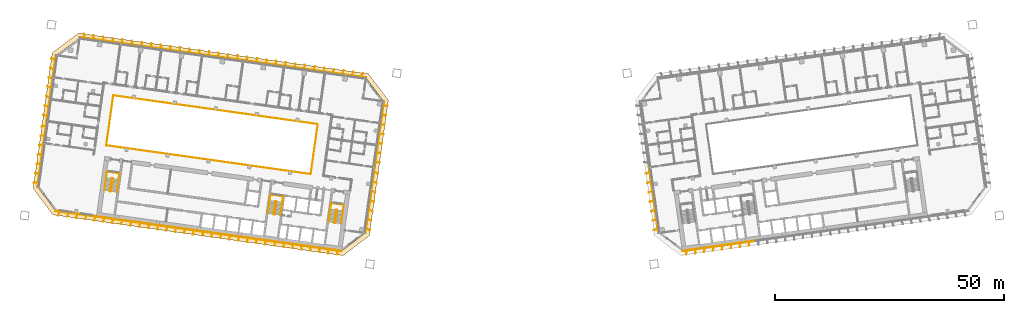
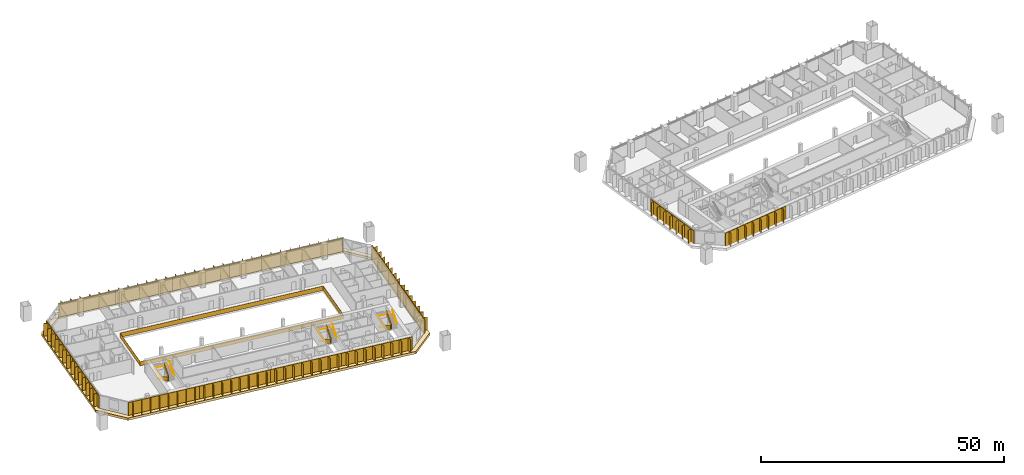
# One storey, part 24 of 25: 15 shading devices, 7 railings, 1 covering.
"""IFC4 building model written with IfcOpenShell, lengths in metres."""

from ifc_helpers import new_model, si_unit, direction, frame, origin, origin_2d, place, context, subcontext, project, spatial, polyline, rectangle, outline, extrude, material, layer, layer_set, type_object, element, save


model = new_model("IFC4")

# Units and contexts
model_context = context("Model", 3, precision=1e-05, world=origin(), true_north=direction((0.0, 1.0)))
body_context = subcontext(model_context, "Body", "Model", "MODEL_VIEW")
ifc_project = project(units=[si_unit("LENGTHUNIT", "METRE"), si_unit("AREAUNIT", "SQUARE_METRE"), si_unit("VOLUMEUNIT", "CUBIC_METRE"), si_unit("PLANEANGLEUNIT", "RADIAN"), si_unit("MASSUNIT", "GRAM", prefix="KILO")], contexts=[model_context])

# Site, building, storey
site_placement = place(None, origin())
site = spatial("IfcSite", under=ifc_project, at=site_placement, CompositionType="ELEMENT")
building_placement = place(site_placement, origin())
building = spatial("IfcBuilding", under=site, at=building_placement, Name="Mirante Cascada Hotel Towers", CompositionType="ELEMENT")
storey_placement = place(building_placement, frame((0.0, 0.0, 69.9)))
storey = spatial("IfcBuildingStorey", under=building, at=storey_placement, Name="L14", CompositionType="ELEMENT", Elevation=69.9)

# Railing
ifc_material_1 = material(Name="Toughened glass with stainless steel handrail", Category="steel")
railing_type_1 = type_object("IfcRailingType", Name="Atrium guard 1100 glass balustrade", PredefinedType="GUARDRAIL", material=ifc_material_1)
railing_1_placement = place(storey_placement, frame((-43.8418, -3.4881, 0.0)))
element("IfcRailing", 1, at=railing_1_placement, inside=storey, type_object=railing_type_1, Name="GUARD 1-L14-1", PredefinedType="GUARDRAIL", context=body_context, shape_type="SweptSolid", body=[
    extrude(rectangle(XDim=0.048, YDim=0.048, at=origin_2d()), frame((0.0, 0.0, 1.076), z_axis=(-0.9902681, 0.1391732, 0.0), x_axis=(-0.1391732, -0.9902681, 0.0)), (0.0, 0.0, 1.0), 45.0),
    extrude(rectangle(XDim=0.02, YDim=1.052, at=origin_2d()), frame((0.0, 0.0, 0.526), z_axis=(-0.9902681, 0.1391732, 0.0), x_axis=(-0.1391732, -0.9902681, 0.0)), (0.0, 0.0, 1.0), 45.0),
    extrude(rectangle(XDim=0.048, YDim=0.048, at=origin_2d()), frame((-44.5621, 6.2628, 1.076), z_axis=(0.1391721, 0.9902682, 0.0), x_axis=(-0.9902682, 0.1391721, 0.0)), (0.0, 0.0, 1.0), 11.0001),
    extrude(rectangle(XDim=0.02, YDim=1.052, at=origin_2d()), frame((-44.5621, 6.2628, 0.526), z_axis=(0.1391721, 0.9902682, 0.0), x_axis=(-0.9902682, 0.1391721, 0.0)), (0.0, 0.0, 1.0), 11.0001),
    extrude(rectangle(XDim=0.048, YDim=0.048, at=origin_2d()), frame((-43.0312, 17.1558, 1.076), z_axis=(0.9902681, -0.1391732, 0.0), x_axis=(0.1391732, 0.9902681, 0.0)), (0.0, 0.0, 1.0), 45.0),
    extrude(rectangle(XDim=0.02, YDim=1.052, at=origin_2d()), frame((-43.0312, 17.1558, 0.526), z_axis=(0.9902681, -0.1391732, 0.0), x_axis=(0.1391732, 0.9902681, 0.0)), (0.0, 0.0, 1.0), 45.0),
    extrude(rectangle(XDim=0.048, YDim=0.048, at=origin_2d()), frame((1.5309, 10.893, 1.076), z_axis=(-0.1391721, -0.9902682, 0.0), x_axis=(0.9902682, -0.1391721, 0.0)), (0.0, 0.0, 1.0), 11.0001),
    extrude(rectangle(XDim=0.02, YDim=1.052, at=origin_2d()), frame((1.5309, 10.893, 0.526), z_axis=(-0.1391721, -0.9902682, 0.0), x_axis=(0.9902682, -0.1391721, 0.0)), (0.0, 0.0, 1.0), 11.0001),
])

# Covering
ifc_material_2 = material(Name="Precast concrete C40/50 white", Category="concrete")
ifc_layer = layer(ifc_material_2, 0.6)
ifc_layer_set = layer_set([ifc_layer], Name="Precast concrete SUNSHADE band 1000x600")
covering_type = type_object("IfcCoveringType", Name="Precast concrete SUNSHADE band 1000x600", PredefinedType="CLADDING", material=ifc_layer_set)
covering_placement = place(storey_placement, frame((0.0, 0.0, -0.45)))
element("IfcCovering", 2, at=covering_placement, inside=storey, type_object=covering_type, Name="Precast concrete SUNSHADE band T1 L14", PredefinedType="CLADDING", context=body_context, shape_type="SweptSolid", body=[
    extrude(outline(polyline([(-104.3652, -6.6094), (-100.2139, 22.9287), (-94.4698, 27.2572), (-31.2626, 18.374), (-26.9341, 12.6299), (-31.0854, -16.9082), (-36.8295, -21.2367), (-100.0367, -12.3535), (-104.3652, -6.6094)]), holes=[polyline([(-27.982, 12.3589), (-31.8119, 17.4414), (-94.1988, 26.2093), (-99.2813, 22.3794), (-103.3173, -6.3384), (-99.4874, -11.4209), (-37.1005, -20.1888), (-32.018, -16.3589), (-27.982, 12.3589)])]), origin(), (0.0, 0.0, 1.0), 0.6),
])

# Railings
ifc_material_3 = material(Name="Painted steel", Category="steel")
railing_type_2 = type_object("IfcRailingType", Name="Stair guard 1100 steel balustrade", PredefinedType="GUARDRAIL", material=ifc_material_3)
railing_2_placement = place(storey_placement, frame((-38.1178, -11.2603, 0.0)))
element("IfcRailing", 3, at=railing_2_placement, inside=storey, type_object=railing_type_2, Name="L14 ST1-A stair guard 1", PredefinedType="GUARDRAIL", context=body_context, shape_type="SweptSolid", body=[
    extrude(rectangle(XDim=0.048, YDim=0.048, at=origin_2d()), frame((0.0, 0.0, 1.076), z_axis=(-0.9903326, 0.1387133, 0.0), x_axis=(-0.1387133, -0.9903326, 0.0)), (0.0, 0.0, 1.0), 0.1499),
    extrude(rectangle(XDim=0.02, YDim=1.052, at=origin_2d()), frame((0.0, 0.0, 0.526), z_axis=(-0.9903326, 0.1387133, 0.0), x_axis=(-0.1387133, -0.9903326, 0.0)), (0.0, 0.0, 1.0), 0.1499),
    extrude(rectangle(XDim=0.048, YDim=0.048, at=origin_2d()), frame((-0.1485, 0.0208, 1.076), z_axis=(-0.7991505, -0.6011309, 0.0), x_axis=(0.6011309, -0.7991505, 0.0)), (0.0, 0.9254529, 0.3788627), 0.1866),
    extrude(rectangle(XDim=0.02, YDim=1.052, at=origin_2d()), frame((-0.1485, 0.0208, 0.526), z_axis=(-0.7991505, -0.6011309, 0.0), x_axis=(0.6011309, -0.7991505, 0.0)), (0.0, 0.9254529, 0.3788627), 0.1866),
    extrude(rectangle(XDim=0.048, YDim=0.048, at=origin_2d()), frame((-0.205, -0.0217, 1.2487), z_axis=(-0.139176, -0.9902677, 0.0), x_axis=(0.9902677, -0.139176, 0.0)), (0.0, 0.5250212, 0.8510891), 3.29),
    extrude(rectangle(XDim=0.02, YDim=1.052, at=origin_2d()), frame((-0.205, -0.0217, 0.6987), z_axis=(-0.139176, -0.9902677, 0.0), x_axis=(0.9902677, -0.139176, 0.0)), (0.0, 0.5250212, 0.8510891), 3.29),
    extrude(rectangle(XDim=0.048, YDim=0.048, at=origin_2d()), frame((-0.5947, -2.7945, 2.976), z_axis=(0.9270311, -0.3749843, 0.0), x_axis=(0.3749843, 0.9270311, 0.0)), (0.0, 0.0, 1.0), 0.2061),
    extrude(rectangle(XDim=0.02, YDim=1.052, at=origin_2d()), frame((-0.5947, -2.7945, 2.426), z_axis=(0.9270311, -0.3749843, 0.0), x_axis=(0.3749843, 0.9270311, 0.0)), (0.0, 0.0, 1.0), 0.2061),
    extrude(rectangle(XDim=0.048, YDim=0.048, at=origin_2d()), frame((-0.4036, -2.8718, 2.976), z_axis=(-0.9902408, 0.1393672, 0.0), x_axis=(-0.1393672, -0.9902408, 0.0)), (0.0, 0.0, 1.0), 0.15),
    extrude(rectangle(XDim=0.02, YDim=1.052, at=origin_2d()), frame((-0.4036, -2.8718, 2.426), z_axis=(-0.9902408, 0.1393672, 0.0), x_axis=(-0.1393672, -0.9902408, 0.0)), (0.0, 0.0, 1.0), 0.15),
    extrude(rectangle(XDim=0.048, YDim=0.048, at=origin_2d()), frame((-0.5521, -2.8509, 2.976), z_axis=(0.9944948, 0.1047858, 0.0), x_axis=(-0.1047858, 0.9944948, 0.0)), (0.0, 0.6422034, 0.7665343), 0.2689),
    extrude(rectangle(XDim=0.02, YDim=1.052, at=origin_2d()), frame((-0.5521, -2.8509, 2.426), z_axis=(0.9944948, 0.1047858, 0.0), x_axis=(-0.1047858, 0.9944948, 0.0)), (0.0, 0.6422034, 0.7665343), 0.2689),
    extrude(rectangle(XDim=0.048, YDim=0.048, at=origin_2d()), frame((-0.3471, -2.8293, 3.1487), z_axis=(0.139176, 0.9902677, 0.0), x_axis=(-0.9902677, 0.139176, 0.0)), (0.0, 0.5250212, 0.8510891), 3.29),
    extrude(rectangle(XDim=0.02, YDim=1.052, at=origin_2d()), frame((-0.3471, -2.8293, 2.5987), z_axis=(0.139176, 0.9902677, 0.0), x_axis=(-0.9902677, 0.139176, 0.0)), (0.0, 0.5250212, 0.8510891), 3.29),
])
railing_3_placement = place(storey_placement, frame((-51.3379, -9.4024, 0.0)))
element("IfcRailing", 4, at=railing_3_placement, inside=storey, type_object=railing_type_2, Name="L14 ST1-B stair guard 1", PredefinedType="GUARDRAIL", context=body_context, shape_type="SweptSolid", body=[
    extrude(rectangle(XDim=0.048, YDim=0.048, at=origin_2d()), frame((0.0, 0.0, 1.076), z_axis=(-0.9902408, 0.1393672, 0.0), x_axis=(-0.1393672, -0.9902408, 0.0)), (0.0, 0.0, 1.0), 0.15),
    extrude(rectangle(XDim=0.02, YDim=1.052, at=origin_2d()), frame((0.0, 0.0, 0.526), z_axis=(-0.9902408, 0.1393672, 0.0), x_axis=(-0.1393672, -0.9902408, 0.0)), (0.0, 0.0, 1.0), 0.15),
    extrude(rectangle(XDim=0.048, YDim=0.048, at=origin_2d()), frame((-0.1485, 0.0209, 1.076), z_axis=(-0.7984711, -0.6020331, 0.0), x_axis=(0.6020331, -0.7984711, 0.0)), (0.0, 0.9253398, 0.3791387), 0.1866),
    extrude(rectangle(XDim=0.02, YDim=1.052, at=origin_2d()), frame((-0.1485, 0.0209, 0.526), z_axis=(-0.7984711, -0.6020331, 0.0), x_axis=(0.6020331, -0.7984711, 0.0)), (0.0, 0.9253398, 0.3791387), 0.1866),
    extrude(rectangle(XDim=0.048, YDim=0.048, at=origin_2d()), frame((-0.205, -0.0217, 1.2487), z_axis=(-0.139181, -0.990267, 0.0), x_axis=(0.990267, -0.139181, 0.0)), (0.0, 0.5250347, 0.8510808), 3.2899),
    extrude(rectangle(XDim=0.02, YDim=1.052, at=origin_2d()), frame((-0.205, -0.0217, 0.6987), z_axis=(-0.139181, -0.990267, 0.0), x_axis=(0.990267, -0.139181, 0.0)), (0.0, 0.5250347, 0.8510808), 3.2899),
    extrude(rectangle(XDim=0.048, YDim=0.048, at=origin_2d()), frame((-0.5947, -2.7944, 2.976), z_axis=(0.9268624, -0.3754011, 0.0), x_axis=(0.3754011, 0.9268624, 0.0)), (0.0, 0.0, 1.0), 0.2062),
    extrude(rectangle(XDim=0.02, YDim=1.052, at=origin_2d()), frame((-0.5947, -2.7944, 2.426), z_axis=(0.9268624, -0.3754011, 0.0), x_axis=(0.3754011, 0.9268624, 0.0)), (0.0, 0.0, 1.0), 0.2062),
    extrude(rectangle(XDim=0.048, YDim=0.048, at=origin_2d()), frame((-0.4036, -2.8718, 2.976), z_axis=(-0.9902408, 0.1393672, 0.0), x_axis=(-0.1393672, -0.9902408, 0.0)), (0.0, 0.0, 1.0), 0.15),
    extrude(rectangle(XDim=0.02, YDim=1.052, at=origin_2d()), frame((-0.4036, -2.8718, 2.426), z_axis=(-0.9902408, 0.1393672, 0.0), x_axis=(-0.1393672, -0.9902408, 0.0)), (0.0, 0.0, 1.0), 0.15),
    extrude(rectangle(XDim=0.048, YDim=0.048, at=origin_2d()), frame((-0.5521, -2.8509, 2.976), z_axis=(0.9944441, 0.1052656, 0.0), x_axis=(-0.1052656, 0.9944441, 0.0)), (0.0, 0.6421842, 0.7665504), 0.2689),
    extrude(rectangle(XDim=0.02, YDim=1.052, at=origin_2d()), frame((-0.5521, -2.8509, 2.426), z_axis=(0.9944441, 0.1052656, 0.0), x_axis=(-0.1052656, 0.9944441, 0.0)), (0.0, 0.6421842, 0.7665504), 0.2689),
    extrude(rectangle(XDim=0.048, YDim=0.048, at=origin_2d()), frame((-0.3471, -2.8292, 3.1487), z_axis=(0.139181, 0.990267, 0.0), x_axis=(-0.990267, 0.139181, 0.0)), (0.0, 0.5250347, 0.8510808), 3.2899),
    extrude(rectangle(XDim=0.02, YDim=1.052, at=origin_2d()), frame((-0.3471, -2.8292, 2.5987), z_axis=(0.139181, 0.990267, 0.0), x_axis=(-0.990267, 0.139181, 0.0)), (0.0, 0.5250347, 0.8510808), 3.2899),
])
railing_4_placement = place(storey_placement, frame((-86.9875, -4.3922, 0.0)))
element("IfcRailing", 5, at=railing_4_placement, inside=storey, type_object=railing_type_2, Name="L14 ST1-C stair guard 1", PredefinedType="GUARDRAIL", context=body_context, shape_type="SweptSolid", body=[
    extrude(rectangle(XDim=0.048, YDim=0.048, at=origin_2d()), frame((0.0, 0.0, 1.076), z_axis=(-0.9902537, 0.1392753, 0.0), x_axis=(-0.1392753, -0.9902537, 0.0)), (0.0, 0.0, 1.0), 0.1501),
    extrude(rectangle(XDim=0.02, YDim=1.052, at=origin_2d()), frame((0.0, 0.0, 0.526), z_axis=(-0.9902537, 0.1392753, 0.0), x_axis=(-0.1392753, -0.9902537, 0.0)), (0.0, 0.0, 1.0), 0.1501),
    extrude(rectangle(XDim=0.048, YDim=0.048, at=origin_2d()), frame((-0.1486, 0.0209, 1.076), z_axis=(-0.7986386, -0.601811, 0.0), x_axis=(0.601811, -0.7986386, 0.0)), (0.0, 0.925603, 0.3784959), 0.1866),
    extrude(rectangle(XDim=0.02, YDim=1.052, at=origin_2d()), frame((-0.1486, 0.0209, 0.526), z_axis=(-0.7986386, -0.601811, 0.0), x_axis=(0.601811, -0.7986386, 0.0)), (0.0, 0.925603, 0.3784959), 0.1866),
    extrude(rectangle(XDim=0.048, YDim=0.048, at=origin_2d()), frame((-0.205, -0.0216, 1.2487), z_axis=(-0.139176, -0.9902677, 0.0), x_axis=(0.9902677, -0.139176, 0.0)), (0.0, 0.5250212, 0.8510891), 3.29),
    extrude(rectangle(XDim=0.02, YDim=1.052, at=origin_2d()), frame((-0.205, -0.0216, 0.6987), z_axis=(-0.139176, -0.9902677, 0.0), x_axis=(0.9902677, -0.139176, 0.0)), (0.0, 0.5250212, 0.8510891), 3.29),
    extrude(rectangle(XDim=0.048, YDim=0.048, at=origin_2d()), frame((-0.5947, -2.7944, 2.976), z_axis=(0.9270311, -0.3749843, 0.0), x_axis=(0.3749843, 0.9270311, 0.0)), (0.0, 0.0, 1.0), 0.2061),
    extrude(rectangle(XDim=0.02, YDim=1.052, at=origin_2d()), frame((-0.5947, -2.7944, 2.426), z_axis=(0.9270311, -0.3749843, 0.0), x_axis=(0.3749843, 0.9270311, 0.0)), (0.0, 0.0, 1.0), 0.2061),
    extrude(rectangle(XDim=0.048, YDim=0.048, at=origin_2d()), frame((-0.4036, -2.8717, 2.976), z_axis=(-0.9903454, 0.1386217, 0.0), x_axis=(-0.1386217, -0.9903454, 0.0)), (0.0, 0.0, 1.0), 0.15),
    extrude(rectangle(XDim=0.02, YDim=1.052, at=origin_2d()), frame((-0.4036, -2.8717, 2.426), z_axis=(-0.9903454, 0.1386217, 0.0), x_axis=(-0.1386217, -0.9903454, 0.0)), (0.0, 0.0, 1.0), 0.15),
    extrude(rectangle(XDim=0.048, YDim=0.048, at=origin_2d()), frame((-0.5522, -2.8509, 2.976), z_axis=(0.9944441, 0.1052656, 0.0), x_axis=(-0.1052656, 0.9944441, 0.0)), (0.0, 0.6421842, 0.7665504), 0.2689),
    extrude(rectangle(XDim=0.02, YDim=1.052, at=origin_2d()), frame((-0.5522, -2.8509, 2.426), z_axis=(0.9944441, 0.1052656, 0.0), x_axis=(-0.1052656, 0.9944441, 0.0)), (0.0, 0.6421842, 0.7665504), 0.2689),
    extrude(rectangle(XDim=0.048, YDim=0.048, at=origin_2d()), frame((-0.3472, -2.8292, 3.1487), z_axis=(0.139176, 0.9902677, 0.0), x_axis=(-0.9902677, 0.139176, 0.0)), (0.0, 0.5250212, 0.8510891), 3.29),
    extrude(rectangle(XDim=0.02, YDim=1.052, at=origin_2d()), frame((-0.3472, -2.8292, 2.5987), z_axis=(0.139176, 0.9902677, 0.0), x_axis=(-0.9902677, 0.139176, 0.0)), (0.0, 0.5250212, 0.8510891), 3.29),
])
ifc_material_4 = material(Name="Painted steel", Category="steel")
railing_type_3 = type_object("IfcRailingType", Name="Stair handrail 900 steel tube", PredefinedType="HANDRAIL", material=ifc_material_4)
railing_5_placement = place(storey_placement, frame((-39.5606, -11.1081, 0.1727)))
element("IfcRailing", 6, at=railing_5_placement, inside=storey, type_object=railing_type_3, Name="L14 ST1-A stair handrail 1", PredefinedType="HANDRAIL", context=body_context, shape_type="SweptSolid", body=[
    extrude(rectangle(XDim=0.048, YDim=0.048, at=origin_2d()), frame((0.0, 0.0, 0.876), z_axis=(-0.139181, -0.990267, 0.0), x_axis=(0.990267, -0.139181, 0.0)), (0.0, 0.5250347, 0.8510808), 3.2899),
    extrude(rectangle(XDim=0.048, YDim=0.048, at=origin_2d()), frame((-0.3897, -2.7727, 2.6033), z_axis=(0.1391707, 0.9902684, 0.0), x_axis=(-0.9902684, 0.1391707, 0.0)), (0.0, 0.0420846, 0.999114), 4.1036),
    extrude(rectangle(XDim=0.048, YDim=0.048, at=origin_2d()), frame((0.1809, 1.2874, 2.776), z_axis=(0.9902691, -0.1391657, 0.0), x_axis=(0.1391657, 0.9902691, 0.0)), (0.0, 0.0, 1.0), 2.75),
    extrude(rectangle(XDim=0.048, YDim=0.048, at=origin_2d()), frame((2.9041, 0.9047, 2.776), z_axis=(-0.1391707, -0.9902684, 0.0), x_axis=(0.9902684, -0.1391707, 0.0)), (0.0, 0.0, 1.0), 4.1),
    extrude(rectangle(XDim=0.048, YDim=0.048, at=origin_2d()), frame((2.3335, -3.1554, 2.776), z_axis=(0.139181, 0.990267, 0.0), x_axis=(-0.990267, 0.139181, 0.0)), (0.0, 0.5250347, 0.8510808), 3.2899),
])
railing_6_placement = place(storey_placement, frame((-52.7807, -9.2501, 0.1727)))
element("IfcRailing", 7, at=railing_6_placement, inside=storey, type_object=railing_type_3, Name="L14 ST1-B stair handrail 1", PredefinedType="HANDRAIL", context=body_context, shape_type="SweptSolid", body=[
    extrude(rectangle(XDim=0.048, YDim=0.048, at=origin_2d()), frame((0.0, 0.0, 0.876), z_axis=(-0.139181, -0.990267, 0.0), x_axis=(0.990267, -0.139181, 0.0)), (0.0, 0.5250347, 0.8510808), 3.2899),
    extrude(rectangle(XDim=0.048, YDim=0.048, at=origin_2d()), frame((-0.3897, -2.7727, 2.6033), z_axis=(0.1391707, 0.9902684, 0.0), x_axis=(-0.9902684, 0.1391707, 0.0)), (0.0, 0.0420846, 0.999114), 4.1036),
    extrude(rectangle(XDim=0.048, YDim=0.048, at=origin_2d()), frame((0.1809, 1.2874, 2.776), z_axis=(0.9902641, -0.1392013, 0.0), x_axis=(0.1392013, 0.9902641, 0.0)), (0.0, 0.0, 1.0), 2.75),
    extrude(rectangle(XDim=0.048, YDim=0.048, at=origin_2d()), frame((2.9041, 0.9046, 2.776), z_axis=(-0.1391707, -0.9902684, 0.0), x_axis=(0.9902684, -0.1391707, 0.0)), (0.0, 0.0, 1.0), 4.1),
    extrude(rectangle(XDim=0.048, YDim=0.048, at=origin_2d()), frame((2.3335, -3.1555, 2.776), z_axis=(0.139176, 0.9902677, 0.0), x_axis=(-0.9902677, 0.139176, 0.0)), (0.0, 0.5250212, 0.8510891), 3.29),
])
railing_7_placement = place(storey_placement, frame((-88.4304, -4.2399, 0.1727)))
element("IfcRailing", 8, at=railing_7_placement, inside=storey, type_object=railing_type_3, Name="L14 ST1-C stair handrail 1", PredefinedType="HANDRAIL", context=body_context, shape_type="SweptSolid", body=[
    extrude(rectangle(XDim=0.048, YDim=0.048, at=origin_2d()), frame((0.0, 0.0, 0.876), z_axis=(-0.139181, -0.990267, 0.0), x_axis=(0.990267, -0.139181, 0.0)), (0.0, 0.5250347, 0.8510808), 3.2899),
    extrude(rectangle(XDim=0.048, YDim=0.048, at=origin_2d()), frame((-0.3897, -2.7727, 2.6033), z_axis=(0.1391947, 0.990265, 0.0), x_axis=(-0.990265, 0.1391947, 0.0)), (0.0, 0.0420845, 0.9991141), 4.1036),
    extrude(rectangle(XDim=0.048, YDim=0.048, at=origin_2d()), frame((0.181, 1.2874, 2.776), z_axis=(0.9902691, -0.1391657, 0.0), x_axis=(0.1391657, 0.9902691, 0.0)), (0.0, 0.0, 1.0), 2.75),
    extrude(rectangle(XDim=0.048, YDim=0.048, at=origin_2d()), frame((2.9042, 0.9047, 2.776), z_axis=(-0.1391707, -0.9902684, 0.0), x_axis=(0.9902684, -0.1391707, 0.0)), (0.0, 0.0, 1.0), 4.1),
    extrude(rectangle(XDim=0.048, YDim=0.048, at=origin_2d()), frame((2.3336, -3.1554, 2.776), z_axis=(0.139181, 0.990267, 0.0), x_axis=(-0.990267, 0.139181, 0.0)), (0.0, 0.5250347, 0.8510808), 3.2899),
])

# Shading devices
ifc_material_5 = material(Name="White precast concrete C50/60 fin", Category="concrete")
shading_device_type = type_object("IfcShadingDeviceType", Name="Vertical fin set 4500x900", PredefinedType="USERDEFINED", material=ifc_material_5)
shading_device_1_placement = place(storey_placement, origin())
element("IfcShadingDevice", 9, at=shading_device_1_placement, inside=storey, type_object=shading_device_type, Name="FIN T1 L14 front 1", ObjectType="FIN", PredefinedType="USERDEFINED", context=body_context, shape_type="SweptSolid", body=[
    extrude(outline(polyline([(-82.8173, 25.599), (-82.7126, 24.7465), (-81.7006, 24.6042), (-81.7214, 24.4557), (-94.1988, 26.2093), (-94.1779, 26.3578), (-93.1924, 26.2193), (-93.2945, 27.0506), (-93.2151, 27.0603), (-93.1104, 26.2078), (-91.1129, 25.9271), (-91.2149, 26.7583), (-91.1355, 26.7681), (-91.0308, 25.9155), (-89.0333, 25.6348), (-89.1354, 26.4661), (-89.056, 26.4758), (-88.9513, 25.6233), (-86.9537, 25.3425), (-87.0558, 26.1738), (-86.9764, 26.1835), (-86.8717, 25.331), (-84.8742, 25.0503), (-84.9762, 25.8815), (-84.8968, 25.8913), (-84.7922, 25.0387), (-82.7946, 24.758), (-82.8967, 25.5893), (-82.8173, 25.599)])), origin(), (0.0, 0.0, 1.0), 3.35),
])
shading_device_2_placement = place(storey_placement, origin())
element("IfcShadingDevice", 10, at=shading_device_2_placement, inside=storey, type_object=shading_device_type, Name="FIN T1 L14 front 2", ObjectType="FIN", PredefinedType="USERDEFINED", context=body_context, shape_type="SweptSolid", body=[
    extrude(outline(polyline([(-70.2221, 23.8469), (-70.2295, 22.9921), (-69.2232, 22.8507), (-69.2441, 22.7021), (-81.7214, 24.4557), (-81.7006, 24.6042), (-80.7072, 24.4646), (-80.6999, 25.3089), (-80.6199, 25.3082), (-80.6273, 24.4534), (-78.6277, 24.1724), (-78.6203, 25.0166), (-78.5403, 25.0159), (-78.5478, 24.1611), (-76.5481, 23.8801), (-76.5407, 24.7244), (-76.4608, 24.7237), (-76.4682, 23.8689), (-74.4686, 23.5878), (-74.4612, 24.4321), (-74.3812, 24.4314), (-74.3886, 23.5766), (-72.389, 23.2956), (-72.3816, 24.1399), (-72.3016, 24.1392), (-72.3091, 23.2844), (-70.3094, 23.0033), (-70.3021, 23.8476), (-70.2221, 23.8469)])), origin(), (0.0, 0.0, 1.0), 3.35),
])
shading_device_3_placement = place(storey_placement, origin())
element("IfcShadingDevice", 11, at=shading_device_3_placement, inside=storey, type_object=shading_device_type, Name="FIN T1 L14 front 3", ObjectType="FIN", PredefinedType="USERDEFINED", context=body_context, shape_type="SweptSolid", body=[
    extrude(outline(polyline([(-57.6277, 22.0794), (-57.746, 21.2376), (-56.7458, 21.0971), (-56.7667, 20.9485), (-69.2441, 22.7021), (-69.2232, 22.8507), (-68.223, 22.7101), (-68.1047, 23.5518), (-68.0255, 23.5407), (-68.1438, 22.699), (-66.1434, 22.4178), (-66.0251, 23.2596), (-65.9459, 23.2484), (-66.0642, 22.4067), (-64.0639, 22.1256), (-63.9456, 22.9673), (-63.8664, 22.9562), (-63.9847, 22.1144), (-61.9843, 21.8333), (-61.866, 22.675), (-61.7868, 22.6639), (-61.9051, 21.8222), (-59.9048, 21.541), (-59.7865, 22.3828), (-59.7072, 22.3716), (-59.8255, 21.5299), (-57.8252, 21.2488), (-57.7069, 22.0905), (-57.6277, 22.0794)])), origin(), (0.0, 0.0, 1.0), 3.35),
])
shading_device_4_placement = place(storey_placement, origin())
element("IfcShadingDevice", 12, at=shading_device_4_placement, inside=storey, type_object=shading_device_type, Name="FIN T1 L14 front 4", ObjectType="FIN", PredefinedType="USERDEFINED", context=body_context, shape_type="SweptSolid", body=[
    extrude(outline(polyline([(-45.0361, 20.2967), (-45.2617, 19.4831), (-44.2684, 19.3435), (-44.2893, 19.195), (-56.7667, 20.9485), (-56.7458, 21.0971), (-55.7394, 20.9556), (-55.511, 21.7794), (-55.4339, 21.758), (-55.6595, 20.9444), (-53.6599, 20.6634), (-53.4314, 21.4871), (-53.3544, 21.4657), (-53.58, 20.6521), (-51.5803, 20.3711), (-51.3519, 21.1949), (-51.2748, 21.1735), (-51.5004, 20.3599), (-49.5008, 20.0789), (-49.2723, 20.9026), (-49.1952, 20.8812), (-49.4209, 20.0676), (-47.4212, 19.7866), (-47.1928, 20.6103), (-47.1157, 20.589), (-47.3413, 19.7754), (-45.3416, 19.4943), (-45.1132, 20.3181), (-45.0361, 20.2967)])), origin(), (0.0, 0.0, 1.0), 3.35),
])
shading_device_5_placement = place(storey_placement, origin())
element("IfcShadingDevice", 13, at=shading_device_5_placement, inside=storey, type_object=shading_device_type, Name="FIN T1 L14 front 5", ObjectType="FIN", PredefinedType="USERDEFINED", context=body_context, shape_type="SweptSolid", body=[
    extrude(outline(polyline([(-32.4493, 18.4994), (-32.7765, 17.7284), (-31.791, 17.5899), (-31.8119, 17.4414), (-44.2893, 19.195), (-44.2684, 19.3435), (-43.2564, 19.2013), (-42.9208, 19.9919), (-42.8471, 19.9607), (-43.1744, 19.1897), (-41.1768, 18.909), (-40.8412, 19.6997), (-40.7676, 19.6684), (-41.0948, 18.8975), (-39.0973, 18.6167), (-38.7616, 19.4074), (-38.688, 19.3761), (-39.0152, 18.6052), (-37.0177, 18.3245), (-36.6821, 19.1151), (-36.6084, 19.0839), (-36.9357, 18.3129), (-34.9381, 18.0322), (-34.6025, 18.8229), (-34.5289, 18.7916), (-34.8561, 18.0207), (-32.8586, 17.7399), (-32.5229, 18.5306), (-32.4493, 18.4994)])), origin(), (0.0, 0.0, 1.0), 3.35),
])
shading_device_6_placement = place(storey_placement, origin())
element("IfcShadingDevice", 14, at=shading_device_6_placement, inside=storey, type_object=shading_device_type, Name="FIN T1 L14 inner 1", ObjectType="FIN", PredefinedType="USERDEFINED", context=body_context, shape_type="SweptSolid", body=[
    extrude(outline(polyline([(-29.7112, -1.023), (-29.8515, -2.0209), (-30.0, -2.0), (-27.982, 12.3589), (-27.8334, 12.338), (-27.97, 11.3667), (-27.1387, 11.4687), (-27.1289, 11.3893), (-27.9815, 11.2846), (-28.2583, 9.3154), (-27.427, 9.4174), (-27.4172, 9.338), (-28.2698, 9.2334), (-28.5465, 7.2641), (-27.7153, 7.3662), (-27.7055, 7.2868), (-28.5581, 7.1821), (-28.8348, 5.2128), (-28.0036, 5.3149), (-27.9938, 5.2355), (-28.8464, 5.1308), (-29.1231, 3.1616), (-28.2918, 3.2636), (-28.2821, 3.1842), (-29.1346, 3.0796), (-29.4114, 1.1103), (-28.5801, 1.2124), (-28.5704, 1.133), (-29.4229, 1.0283), (-29.6997, -0.941), (-28.8684, -0.8389), (-28.8587, -0.9183), (-29.7112, -1.023)])), origin(), (0.0, 0.0, 1.0), 3.35),
])
shading_device_7_placement = place(storey_placement, origin())
element("IfcShadingDevice", 15, at=shading_device_7_placement, inside=storey, type_object=shading_device_type, Name="FIN T1 L14 inner 2", ObjectType="FIN", PredefinedType="USERDEFINED", context=body_context, shape_type="SweptSolid", body=[
    extrude(outline(polyline([(-31.733, -15.4084), (-31.8695, -16.3798), (-32.018, -16.3589), (-30.0, -2.0), (-29.8515, -2.0209), (-29.9917, -3.0188), (-29.201, -3.3544), (-29.2323, -3.428), (-30.0032, -3.1008), (-30.28, -5.07), (-29.4893, -5.4057), (-29.5206, -5.4793), (-30.2915, -5.1521), (-30.5683, -7.1213), (-29.7776, -7.4569), (-29.8089, -7.5306), (-30.5798, -7.2033), (-30.8566, -9.1726), (-30.0659, -9.5082), (-30.0972, -9.5818), (-30.8681, -9.2546), (-31.1449, -11.2238), (-30.3542, -11.5595), (-30.3854, -11.6331), (-31.1564, -11.3059), (-31.4331, -13.2751), (-30.6425, -13.6107), (-30.6737, -13.6844), (-31.4447, -13.3571), (-31.7214, -15.3264), (-30.9308, -15.662), (-30.962, -15.7356), (-31.733, -15.4084)])), origin(), (0.0, 0.0, 1.0), 3.35),
])
shading_device_8_placement = place(storey_placement, origin())
element("IfcShadingDevice", 16, at=shading_device_8_placement, inside=storey, type_object=shading_device_type, Name="FIN T1 L14 outer 1", ObjectType="FIN", PredefinedType="USERDEFINED", context=body_context, shape_type="SweptSolid", body=[
    extrude(outline(polyline([(-103.3178, -5.2642), (-103.041, -3.2949), (-103.8723, -3.397), (-103.8821, -3.3176), (-103.0295, -3.2129), (-102.7528, -1.2436), (-103.584, -1.3457), (-103.5938, -1.2663), (-102.7412, -1.1616), (-102.4645, 0.8076), (-103.2957, 0.7056), (-103.3055, 0.785), (-102.4529, 0.8896), (-102.1762, 2.8589), (-103.0075, 2.7568), (-103.0172, 2.8362), (-102.1647, 2.9409), (-101.8879, 4.9102), (-102.7192, 4.8081), (-102.7289, 4.8875), (-101.8764, 4.9922), (-101.5996, 6.9614), (-102.4309, 6.8594), (-102.4406, 6.9388), (-101.5881, 7.0434), (-101.4478, 8.0413), (-101.2993, 8.0205), (-103.3173, -6.3384), (-103.4659, -6.3175), (-103.3293, -5.3462), (-104.1606, -5.4483), (-104.1704, -5.3689), (-103.3178, -5.2642)])), origin(), (0.0, 0.0, 1.0), 3.35),
])
shading_device_9_placement = place(storey_placement, origin())
element("IfcShadingDevice", 17, at=shading_device_9_placement, inside=storey, type_object=shading_device_type, Name="FIN T1 L14 outer 2", ObjectType="FIN", PredefinedType="USERDEFINED", context=body_context, shape_type="SweptSolid", body=[
    extrude(outline(polyline([(-101.2961, 9.1212), (-101.0193, 11.0905), (-101.81, 11.4261), (-101.7787, 11.4998), (-101.0078, 11.1725), (-100.731, 13.1418), (-101.5217, 13.4774), (-101.4904, 13.551), (-100.7195, 13.2238), (-100.4427, 15.193), (-101.2334, 15.5287), (-101.2021, 15.6023), (-100.4312, 15.2751), (-100.1544, 17.2443), (-100.9451, 17.5799), (-100.9139, 17.6536), (-100.1429, 17.3263), (-99.8662, 19.2956), (-100.6568, 19.6312), (-100.6256, 19.7048), (-99.8546, 19.3776), (-99.5779, 21.3469), (-100.3685, 21.6825), (-100.3373, 21.7561), (-99.5663, 21.4289), (-99.4298, 22.4002), (-99.2813, 22.3794), (-101.2993, 8.0205), (-101.4478, 8.0413), (-101.3076, 9.0392), (-102.0983, 9.3749), (-102.067, 9.4485), (-101.2961, 9.1212)])), origin(), (0.0, 0.0, 1.0), 3.35),
])
shading_device_10_placement = place(storey_placement, origin())
element("IfcShadingDevice", 18, at=shading_device_10_placement, inside=storey, type_object=shading_device_type, Name="FIN T1 L14 rear 1", ObjectType="FIN", PredefinedType="USERDEFINED", context=body_context, shape_type="SweptSolid", body=[
    extrude(outline(polyline([(-38.1239, -20.1965), (-39.9915, -19.934), (-39.8894, -20.7653), (-39.9688, -20.775), (-40.0735, -19.9225), (-41.9411, -19.66), (-41.839, -20.4913), (-41.9184, -20.501), (-42.0231, -19.6485), (-43.8907, -19.386), (-43.7886, -20.2173), (-43.868, -20.227), (-43.9727, -19.3745), (-45.8403, -19.112), (-45.7382, -19.9433), (-45.8176, -19.953), (-45.9223, -19.1005), (-47.7898, -18.838), (-47.6878, -19.6693), (-47.7672, -19.679), (-47.8719, -18.8265), (-49.7394, -18.564), (-49.6374, -19.3953), (-49.7168, -19.405), (-49.8214, -18.5525), (-51.689, -18.29), (-51.587, -19.1213), (-51.6664, -19.131), (-51.771, -18.2785), (-52.7181, -18.1454), (-52.6972, -17.9968), (-37.1005, -20.1888), (-37.1214, -20.3374), (-38.0419, -20.208), (-37.9398, -21.0393), (-38.0192, -21.049), (-38.1239, -20.1965)])), origin(), (0.0, 0.0, 1.0), 3.35),
])
shading_device_11_placement = place(storey_placement, origin())
element("IfcShadingDevice", 19, at=shading_device_11_placement, inside=storey, type_object=shading_device_type, Name="FIN T1 L14 rear 2", ObjectType="FIN", PredefinedType="USERDEFINED", context=body_context, shape_type="SweptSolid", body=[
    extrude(outline(polyline([(-53.7283, -18.0034), (-55.5984, -17.7406), (-55.6427, -18.5857), (-55.7226, -18.5815), (-55.6779, -17.7294), (-57.548, -17.4666), (-57.5923, -18.3117), (-57.6722, -18.3075), (-57.6275, -17.4554), (-59.4976, -17.1926), (-59.5419, -18.0377), (-59.6217, -18.0335), (-59.5771, -17.1814), (-61.4472, -16.9186), (-61.4914, -17.7637), (-61.5713, -17.7596), (-61.5267, -16.9074), (-63.3967, -16.6446), (-63.441, -17.4897), (-63.5209, -17.4856), (-63.4763, -16.6334), (-65.3463, -16.3706), (-65.3906, -17.2157), (-65.4705, -17.2116), (-65.4259, -16.3594), (-67.2959, -16.0966), (-67.3402, -16.9417), (-67.4201, -16.9376), (-67.3755, -16.0854), (-68.3148, -15.9534), (-68.2939, -15.8049), (-52.6972, -17.9968), (-52.7181, -18.1454), (-53.6488, -18.0146), (-53.6931, -18.8597), (-53.773, -18.8555), (-53.7283, -18.0034)])), origin(), (0.0, 0.0, 1.0), 3.35),
])
shading_device_12_placement = place(storey_placement, origin())
element("IfcShadingDevice", 20, at=shading_device_12_placement, inside=storey, type_object=shading_device_type, Name="FIN T1 L14 rear 3", ObjectType="FIN", PredefinedType="USERDEFINED", context=body_context, shape_type="SweptSolid", body=[
    extrude(outline(polyline([(-69.3337, -15.8102), (-71.2038, -15.5474), (-71.3957, -16.3788), (-71.4737, -16.3608), (-71.2833, -15.5362), (-73.1534, -15.2734), (-73.3453, -16.1048), (-73.4233, -16.0868), (-73.2329, -15.2622), (-75.103, -14.9994), (-75.2949, -15.8308), (-75.3729, -15.8128), (-75.1825, -14.9882), (-77.0525, -14.7254), (-77.2445, -15.5568), (-77.3224, -15.5388), (-77.1321, -14.7142), (-79.0021, -14.4514), (-79.1941, -15.2828), (-79.272, -15.2648), (-79.0817, -14.4402), (-80.9517, -14.1774), (-81.1437, -15.0088), (-81.2216, -14.9908), (-81.0312, -14.1662), (-82.9013, -13.9034), (-83.0933, -14.7348), (-83.1712, -14.7168), (-82.9808, -13.8922), (-83.9115, -13.7614), (-83.8907, -13.6129), (-68.2939, -15.8049), (-68.3148, -15.9534), (-69.2542, -15.8214), (-69.4461, -16.6528), (-69.5241, -16.6348), (-69.3337, -15.8102)])), origin(), (0.0, 0.0, 1.0), 3.35),
])
shading_device_13_placement = place(storey_placement, origin())
element("IfcShadingDevice", 21, at=shading_device_13_placement, inside=storey, type_object=shading_device_type, Name="FIN T1 L14 rear 4", ObjectType="FIN", PredefinedType="USERDEFINED", context=body_context, shape_type="SweptSolid", body=[
    extrude(outline(polyline([(-84.9406, -13.6168), (-86.8082, -13.3543), (-87.1438, -14.145), (-87.2174, -14.1137), (-86.8902, -13.3428), (-88.7578, -13.0803), (-89.0934, -13.871), (-89.167, -13.8397), (-88.8398, -13.0688), (-90.7074, -12.8063), (-91.043, -13.597), (-91.1166, -13.5657), (-90.7894, -12.7948), (-92.657, -12.5323), (-92.9926, -13.323), (-93.0662, -13.2918), (-92.739, -12.5208), (-94.6065, -12.2583), (-94.9422, -13.049), (-95.0158, -13.0178), (-94.6886, -12.2468), (-96.5561, -11.9843), (-96.8918, -12.775), (-96.9654, -12.7438), (-96.6381, -11.9728), (-98.5057, -11.7103), (-98.8413, -12.501), (-98.915, -12.4698), (-98.5877, -11.6988), (-99.5083, -11.5694), (-99.4874, -11.4209), (-83.8907, -13.6129), (-83.9115, -13.7614), (-84.8586, -13.6283), (-85.1942, -14.419), (-85.2679, -14.3877), (-84.9406, -13.6168)])), origin(), (0.0, 0.0, 1.0), 3.35),
])
shading_device_14_placement = place(storey_placement, origin())
element("IfcShadingDevice", 22, at=shading_device_14_placement, inside=storey, type_object=shading_device_type, Name="FIN T2 L14 inner 2", ObjectType="FIN", PredefinedType="USERDEFINED", context=body_context, shape_type="SweptSolid", body=[
    extrude(outline(polyline([(30.9308, -15.662), (31.7214, -15.3264), (31.4447, -13.3571), (30.6737, -13.6844), (30.6425, -13.6107), (31.4331, -13.2751), (31.1564, -11.3059), (30.3854, -11.6331), (30.3542, -11.5595), (31.1449, -11.2238), (30.8681, -9.2546), (30.0972, -9.5818), (30.0659, -9.5082), (30.8566, -9.1726), (30.5798, -7.2033), (29.8089, -7.5306), (29.7776, -7.4569), (30.5683, -7.1213), (30.2915, -5.1521), (29.5206, -5.4793), (29.4893, -5.4057), (30.28, -5.07), (30.0032, -3.1008), (29.2323, -3.428), (29.201, -3.3544), (29.9917, -3.0188), (29.8515, -2.0209), (30.0, -2.0), (32.018, -16.3589), (31.8695, -16.3798), (31.733, -15.4084), (30.962, -15.7356), (30.9308, -15.662)])), origin(), (0.0, 0.0, 1.0), 3.35),
])
shading_device_15_placement = place(storey_placement, origin())
element("IfcShadingDevice", 23, at=shading_device_15_placement, inside=storey, type_object=shading_device_type, Name="FIN T2 L14 rear 1", ObjectType="FIN", PredefinedType="USERDEFINED", context=body_context, shape_type="SweptSolid", body=[
    extrude(outline(polyline([(37.9398, -21.0393), (38.0419, -20.208), (37.1214, -20.3374), (37.1005, -20.1888), (52.6972, -17.9968), (52.7181, -18.1454), (51.771, -18.2785), (51.6664, -19.131), (51.587, -19.1213), (51.689, -18.29), (49.8214, -18.5525), (49.7168, -19.405), (49.6374, -19.3953), (49.7394, -18.564), (47.8719, -18.8265), (47.7672, -19.679), (47.6878, -19.6693), (47.7898, -18.838), (45.9223, -19.1005), (45.8176, -19.953), (45.7382, -19.9433), (45.8403, -19.112), (43.9727, -19.3745), (43.868, -20.227), (43.7886, -20.2173), (43.8907, -19.386), (42.0231, -19.6485), (41.9184, -20.501), (41.839, -20.4913), (41.9411, -19.66), (40.0735, -19.9225), (39.9688, -20.775), (39.8894, -20.7653), (39.9915, -19.934), (38.1239, -20.1965), (38.0192, -21.049), (37.9398, -21.0393)])), origin(), (0.0, 0.0, 1.0), 3.35),
])

save(model, "model.ifc")
